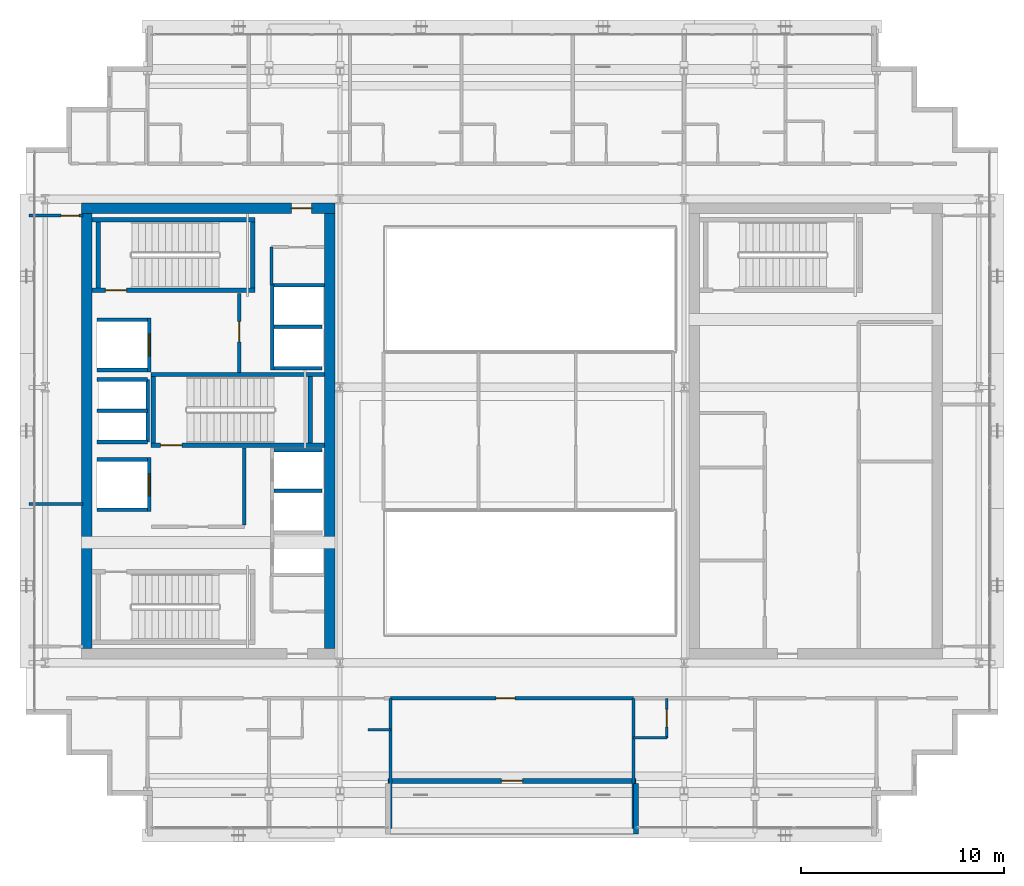
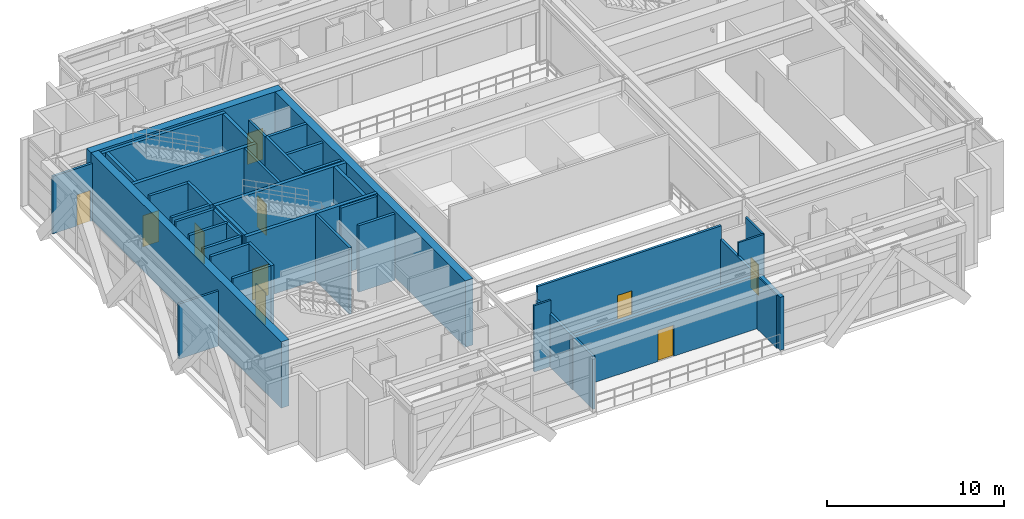
# One storey, part 24 of 31: 40 walls, 10 doors, 10 openings.
"""IFC4 building model written with IfcOpenShell, lengths in metres."""

from ifc_helpers import new_model, si_unit, direction, frame, frame_2d, origin, place, context, subcontext, project, spatial, rectangle, extrude, source, transform, mapped, material, layer, layer_set, type_object, element, fill, save


model = new_model("IFC4")

# Units and contexts
model_context = context("Model", 3, precision=1e-05, world=origin(), true_north=direction((0.0, 1.0)))
body_context = subcontext(model_context, "Body", "Model", "MODEL_VIEW")
ifc_project = project(units=[si_unit("LENGTHUNIT", "METRE"), si_unit("AREAUNIT", "SQUARE_METRE"), si_unit("VOLUMEUNIT", "CUBIC_METRE"), si_unit("PLANEANGLEUNIT", "RADIAN"), si_unit("MASSUNIT", "GRAM", prefix="KILO")], contexts=[model_context])

# Site, building, storey
site_placement = place(None, origin())
site = spatial("IfcSite", under=ifc_project, at=site_placement, CompositionType="ELEMENT")
building_placement = place(site_placement, origin())
building = spatial("IfcBuilding", under=site, at=building_placement, Name="Ocotamira Hotel", CompositionType="ELEMENT")
storey_placement = place(building_placement, frame((0.0, 0.0, 228.0)))
storey = spatial("IfcBuildingStorey", under=building, at=storey_placement, Name="L57", CompositionType="ELEMENT", Elevation=228.0)

# Wall, opening, door
ifc_material_1 = material(Name="Concrete C50/60", Category="concrete")
ifc_layer_1 = layer(ifc_material_1, 0.5)
ifc_layer_set_1 = layer_set([ifc_layer_1], Name="Concrete C50/60")
wall_type_1 = type_object("IfcWallType", Name="WL-CORE-500", PredefinedType="SHEAR", material=ifc_layer_set_1)
wall_1_placement = place(storey_placement, frame((10.75, 37.0, 0.0), z_axis=(0.0, 0.0, 1.0), x_axis=(1.0, 0.0, 0.0)))
wall_1 = element("IfcWall", 1, at=wall_1_placement, inside=storey, type_object=wall_type_1, Name="L57 Shear Core Wall WCORE-N", PredefinedType="SHEAR", context=body_context, shape_type="SweptSolid", body=[
    extrude(rectangle(XDim=12.5, YDim=0.5, at=frame_2d((6.25, 0.0))), origin(), (0.0, 0.0, 1.0), 4.580078125),
])
opening_1_placement = place(wall_1_placement, frame((10.35009765625, 0.0, 0.0)))
opening_1 = element("IfcOpeningElement", 2, at=opening_1_placement, cuts=wall_1, Name="Opening D-FR2", PredefinedType="OPENING", context=body_context, shape_type="SweptSolid", body=[
    extrude(rectangle(XDim=1.0, YDim=2.14990234375, at=frame_2d((0.5, 1.074951171875))), frame((0.0, 0.260009765625, 0.0), z_axis=(0.0, -1.0, 0.0), x_axis=(1.0, 0.0, 0.0)), (0.0, 0.0, 1.0), 0.52001953125),
])
ifc_material_2 = material(Name="Fire-rated acoustic timber-veneer door", Category="wood")
door_type_1 = type_object("IfcDoorType", Name="DR-FIRE-1000", OperationType="NOTDEFINED", PredefinedType="DOOR", material=ifc_material_2)
shared_shape_1 = source(origin(), body_context, "Body", "SweptSolid", [
    extrude(rectangle(XDim=1.0, YDim=2.14990234375, at=frame_2d((0.5, 1.074951171875))), frame((0.0, 0.02490234375, 0.0), z_axis=(0.0, -1.0, 0.0), x_axis=(1.0, 0.0, 0.0)), (0.0, 0.0, 1.0), 0.050048828125),
])
door_1_placement = place(opening_1_placement, origin())
door_1 = element("IfcDoor", 3, at=door_1_placement, inside=storey, type_object=door_type_1, Name="L57 Door ID-L57-WLOB-N-D [ID-L57-WLOB-N-D]", OperationType="SINGLE_SWING_RIGHT", OverallHeight=2.14990234375, OverallWidth=1.0, PredefinedType="DOOR", context=body_context, shape_type="MappedRepresentation", body=[
    mapped(shared_shape_1, transform((0.0, 0.0, 0.0), scale=1.0)),
])
fill(opening_1, door_1)

# Walls
for number, where, z_axis, x_axis, name in (
    (4, (11.0, 15.25, 0.0), (0.0, 0.0, 1.0), (0.0, 1.0, 0.0), "L57 Shear Core Wall WCORE-W"),
    (5, (23.0, 15.25, 0.0), (0.0, 0.0, 1.0), (0.0, 1.0, 0.0), "L57 Shear Core Wall WCORE-E"),
):
    element("IfcWall", number, at=place(storey_placement, frame(where, z_axis=z_axis, x_axis=x_axis)), inside=storey, type_object=wall_type_1, Name=name, PredefinedType="SHEAR", context=body_context, shape_type="SweptSolid", body=[
        extrude(rectangle(XDim=21.5, YDim=0.5, at=frame_2d((10.75, 0.0))), origin(), (0.0, 0.0, 1.0), 4.580078125),
    ])

# Wall, opening, door
ifc_material_3 = material(Name="Precast concrete C45/55", Category="concrete")
ifc_layer_2 = layer(ifc_material_3, 0.25)
ifc_layer_set_2 = layer_set([ifc_layer_2], Name="Precast concrete C45/55")
wall_type_2 = type_object("IfcWallType", Name="WL-EXT-SER-250", PredefinedType="SOLIDWALL", material=ifc_layer_set_2)
wall_2_placement = place(storey_placement, frame((25.875, 8.72509765625, 0.0), z_axis=(0.0, 0.0, 1.0), x_axis=(1.0, 0.0, 0.0)))
wall_2 = element("IfcWall", 6, at=wall_2_placement, inside=storey, type_object=wall_type_2, Name="L57 Sky Terrace Back Wall 1", PredefinedType="SOLIDWALL", context=body_context, shape_type="SweptSolid", body=[
    extrude(rectangle(XDim=12.25, YDim=0.25, at=frame_2d((6.125, 0.0))), origin(), (0.0, 0.0, 1.0), 3.653076171875),
])
opening_2_placement = place(wall_2_placement, frame((5.60009765625, 0.0, 0.0)))
opening_2 = element("IfcOpeningElement", 7, at=opening_2_placement, cuts=wall_2, Name="Opening ED-3", PredefinedType="OPENING", context=body_context, shape_type="SweptSolid", body=[
    extrude(rectangle(XDim=1.050048828125, YDim=2.14990234375, at=frame_2d((0.52490234375, 1.074951171875))), frame((0.0, 0.135009765625, 0.0), z_axis=(0.0, -1.0, 0.0), x_axis=(1.0, 0.0, 0.0)), (0.0, 0.0, 1.0), 0.27001953125),
])
ifc_material_4 = material(Name="Thermally broken aluminium glazed door", Category="aluminium")
door_type_2 = type_object("IfcDoorType", Name="DR-TERR-1050", OperationType="NOTDEFINED", PredefinedType="DOOR", material=ifc_material_4)
shared_shape_2 = source(origin(), body_context, "Body", "SweptSolid", [
    extrude(rectangle(XDim=1.050048828125, YDim=2.14990234375, at=frame_2d((0.52490234375, 1.074951171875))), frame((0.0, 0.02490234375, 0.0), z_axis=(0.0, -1.0, 0.0), x_axis=(1.0, 0.0, 0.0)), (0.0, 0.0, 1.0), 0.050048828125),
])
door_2_placement = place(opening_2_placement, origin())
door_2 = element("IfcDoor", 8, at=door_2_placement, inside=storey, type_object=door_type_2, Name="L57 Sky Terrace Access Door 1 [ED-BAL-L57-1]", OperationType="SINGLE_SWING_LEFT", OverallHeight=2.14990234375, OverallWidth=1.050048828125, PredefinedType="DOOR", context=body_context, shape_type="MappedRepresentation", body=[
    mapped(shared_shape_2, transform((0.0, 0.0, 0.0), scale=1.0)),
])
fill(opening_2, door_2)

# Walls
wall_3_placement = place(storey_placement, frame((38.125, 6.10009765625, 0.0), z_axis=(0.0, 0.0, 1.0), x_axis=(0.0, 1.0, 0.0)))
element("IfcWall", 9, at=wall_3_placement, inside=storey, type_object=wall_type_2, Name="L57 Sky Terrace Return Wall 1R", PredefinedType="SOLIDWALL", context=body_context, shape_type="SweptSolid", body=[
    extrude(rectangle(XDim=2.5, YDim=0.25, at=frame_2d((1.25, 0.0))), origin(), (0.0, 0.0, 1.0), 3.653076171875),
])
ifc_material_5 = material(Name="Acoustic double-layer fire gypsum board partition", Category="gypsum")
ifc_layer_3 = layer(ifc_material_5, 0.159912109375)
ifc_layer_set_3 = layer_set([ifc_layer_3], Name="Acoustic double-layer fire gypsum board partition")
wall_type_3 = type_object("IfcWallType", Name="WL-FIRE-160", PredefinedType="PARTITIONING", material=ifc_layer_set_3)
wall_4_placement = place(storey_placement, frame((18.780029296875, 21.35009765625, 0.0), z_axis=(0.0, 0.0, 1.0), x_axis=(0.0, 1.0, 0.0)))
element("IfcWall", 10, at=wall_4_placement, inside=storey, type_object=wall_type_3, Name="L57 Interior Wall PW-L57-FSAE1-E", PredefinedType="PARTITIONING", context=body_context, shape_type="SweptSolid", body=[
    extrude(rectangle(XDim=3.809814453125, YDim=0.159912109375, at=frame_2d((1.90478515625, 0.0))), origin(), (0.0, 0.0, 1.0), 4.580078125),
])

# Wall, opening, door
wall_5_placement = place(storey_placement, frame((18.530029296875, 28.89990234375, 0.0), z_axis=(0.0, 0.0, 1.0), x_axis=(0.0, 1.0, 0.0)))
wall_5 = element("IfcWall", 11, at=wall_5_placement, inside=storey, type_object=wall_type_3, Name="L57 Interior Wall PW-L57-FSAE2-E", PredefinedType="PARTITIONING", context=body_context, shape_type="SweptSolid", body=[
    extrude(rectangle(XDim=3.900146484375, YDim=0.159912109375, at=frame_2d((1.9501953125, 0.0))), origin(), (0.0, 0.0, 1.0), 4.580078125),
])
opening_3_placement = place(wall_5_placement, frame((1.5, 0.0, 0.0)))
opening_3 = element("IfcOpeningElement", 12, at=opening_3_placement, cuts=wall_5, Name="Opening D-FR2", PredefinedType="OPENING", context=body_context, shape_type="SweptSolid", body=[
    extrude(rectangle(XDim=1.0, YDim=2.14990234375, at=frame_2d((0.5, 1.074951171875))), frame((0.0, 0.08984375, 0.0), z_axis=(0.0, -1.0, 0.0), x_axis=(1.0, 0.0, 0.0)), (0.0, 0.0, 1.0), 0.179931640625),
])
door_3_placement = place(opening_3_placement, origin())
door_3 = element("IfcDoor", 13, at=door_3_placement, inside=storey, type_object=door_type_1, Name="L57 Door ID-L57-FSAE2-D [ID-L57-FSAE2-D]", OperationType="SINGLE_SWING_RIGHT", OverallHeight=2.14990234375, OverallWidth=1.0, PredefinedType="DOOR", context=body_context, shape_type="MappedRepresentation", body=[
    mapped(shared_shape_1, transform((0.0, 0.0, 0.0), scale=1.0)),
])
fill(opening_3, door_3)

wall_6_placement = place(storey_placement, frame((26.0, 12.800048828125, 0.0), z_axis=(0.0, 0.0, 1.0), x_axis=(1.0, 0.0, 0.0)))
wall_6 = element("IfcWall", 14, at=wall_6_placement, inside=storey, type_object=wall_type_3, Name="L57 Interior Wall PW-L57-L57-TLG-N", PredefinedType="PARTITIONING", context=body_context, shape_type="SweptSolid", body=[
    extrude(rectangle(XDim=12.0, YDim=0.159912109375, at=frame_2d((6.0, 0.0))), origin(), (0.0, 0.0, 1.0), 4.580078125),
])
opening_4_placement = place(wall_6_placement, frame((5.199951171875, 0.0, 0.0)))
opening_4 = element("IfcOpeningElement", 15, at=opening_4_placement, cuts=wall_6, Name="Opening D-SV4", PredefinedType="OPENING", context=body_context, shape_type="SweptSolid", body=[
    extrude(rectangle(XDim=0.9599609375, YDim=2.14990234375, at=frame_2d((0.47998046875, 1.074951171875))), frame((0.0, 0.08984375, 0.0), z_axis=(0.0, -1.0, 0.0), x_axis=(1.0, 0.0, 0.0)), (0.0, 0.0, 1.0), 0.179931640625),
])
ifc_material_6 = material(Name="Fire-rated accessible walnut salon door", Category="wood")
door_type_3 = type_object("IfcDoorType", Name="DR-SERV-960", OperationType="NOTDEFINED", PredefinedType="DOOR", material=ifc_material_6)
shared_shape_3 = source(origin(), body_context, "Body", "SweptSolid", [
    extrude(rectangle(XDim=0.9599609375, YDim=2.14990234375, at=frame_2d((0.47998046875, 1.074951171875))), frame((0.0, 0.02490234375, 0.0), z_axis=(0.0, -1.0, 0.0), x_axis=(1.0, 0.0, 0.0)), (0.0, 0.0, 1.0), 0.050048828125),
])
door_4_placement = place(opening_4_placement, origin())
door_4 = element("IfcDoor", 16, at=door_4_placement, inside=storey, type_object=door_type_3, Name="L57 Door ID-L57-L57-TLGD [ID-L57-L57-TLGD]", OperationType="SINGLE_SWING_LEFT", OverallHeight=2.14990234375, OverallWidth=0.9599609375, PredefinedType="DOOR", context=body_context, shape_type="MappedRepresentation", body=[
    mapped(shared_shape_3, transform((0.0, 0.0, 0.0), scale=1.0)),
])
fill(opening_4, door_4)

# Wall
ifc_material_7 = material(Name="Moisture-resistant en-suite tile and gypsum partition", Category="gypsum")
ifc_layer_4 = layer(ifc_material_7, 0.1201171875)
ifc_layer_set_4 = layer_set([ifc_layer_4], Name="Moisture-resistant en-suite tile and gypsum partition")
wall_type_4 = type_object("IfcWallType", Name="WL-PART-120", PredefinedType="PARTITIONING", material=ifc_layer_set_4)
wall_7_placement = place(storey_placement, frame((24.89990234375, 11.25, 0.0), z_axis=(0.0, 0.0, 1.0), x_axis=(1.0, 0.0, 0.0)))
element("IfcWall", 17, at=wall_7_placement, inside=storey, type_object=wall_type_4, Name="L57 Interior Wall PW-L57-L57SW-DRN2", PredefinedType="PARTITIONING", context=body_context, shape_type="SweptSolid", body=[
    extrude(rectangle(XDim=1.10009765625, YDim=0.1201171875, at=frame_2d((0.550048828125, 0.0))), origin(), (0.0, 0.0, 1.0), 4.580078125),
])

# Wall, opening, door
wall_8_placement = place(storey_placement, frame((39.64990234375, 10.85009765625, 0.0), z_axis=(0.0, 0.0, 1.0), x_axis=(0.0, 1.0, 0.0)))
wall_8 = element("IfcWall", 18, at=wall_8_placement, inside=storey, type_object=wall_type_4, Name="L57 Interior Wall PW-L57-L57SE-BAE1", PredefinedType="PARTITIONING", context=body_context, shape_type="SweptSolid", body=[
    extrude(rectangle(XDim=1.949951171875, YDim=0.1201171875, at=frame_2d((0.97509765625, 0.0))), origin(), (0.0, 0.0, 1.0), 4.580078125),
])
opening_5_placement = place(wall_8_placement, frame((0.544921875, 0.0, 0.0)))
opening_5 = element("IfcOpeningElement", 19, at=opening_5_placement, cuts=wall_8, Name="Opening D-BA1", PredefinedType="OPENING", context=body_context, shape_type="SweptSolid", body=[
    extrude(rectangle(XDim=0.860107421875, YDim=2.10009765625, at=frame_2d((0.43017578125, 1.050048828125))), frame((0.0, 0.070068359375, 0.0), z_axis=(0.0, -1.0, 0.0), x_axis=(1.0, 0.0, 0.0)), (0.0, 0.0, 1.0), 0.14013671875),
])
ifc_material_8 = material(Name="Moisture-sealed en-suite timber door", Category="wood")
door_type_4 = type_object("IfcDoorType", Name="DR-BATH-860", OperationType="NOTDEFINED", PredefinedType="DOOR", material=ifc_material_8)
shared_shape_4 = source(origin(), body_context, "Body", "SweptSolid", [
    extrude(rectangle(XDim=0.860107421875, YDim=2.10009765625, at=frame_2d((0.43017578125, 1.050048828125))), frame((0.0, 0.02490234375, 0.0), z_axis=(0.0, -1.0, 0.0), x_axis=(1.0, 0.0, 0.0)), (0.0, 0.0, 1.0), 0.050048828125),
])
door_5_placement = place(opening_5_placement, origin())
door_5 = element("IfcDoor", 20, at=door_5_placement, inside=storey, type_object=door_type_4, Name="L57 Door ID-L57-L57SE-BAD1 [ID-L57-L57SE-BAD1]", OperationType="SINGLE_SWING_RIGHT", OverallHeight=2.10009765625, OverallWidth=0.860107421875, PredefinedType="DOOR", context=body_context, shape_type="MappedRepresentation", body=[
    mapped(shared_shape_4, transform((0.0, 0.0, 0.0), scale=1.0)),
])
fill(opening_5, door_5)

# Walls
wall_9_placement = place(storey_placement, frame((38.0, 10.85009765625, 0.0), z_axis=(0.0, 0.0, 1.0), x_axis=(1.0, 0.0, 0.0)))
element("IfcWall", 21, at=wall_9_placement, inside=storey, type_object=wall_type_4, Name="L57 Interior Wall PW-L57-L57SE-BAS1", PredefinedType="PARTITIONING", context=body_context, shape_type="SweptSolid", body=[
    extrude(rectangle(XDim=1.64990234375, YDim=0.1201171875, at=frame_2d((0.824951171875, 0.0))), origin(), (0.0, 0.0, 1.0), 4.580078125),
])
ifc_material_9 = material(Name="Acoustic hospitality gypsum board partition", Category="gypsum")
ifc_layer_5 = layer(ifc_material_9, 0.14208984375)
ifc_layer_set_5 = layer_set([ifc_layer_5], Name="Acoustic hospitality gypsum board partition")
wall_type_5 = type_object("IfcWallType", Name="WL-PART-142", PredefinedType="PARTITIONING", material=ifc_layer_set_5)
wall_10_placement = place(storey_placement, frame((20.1201171875, 33.219970703125, 0.0), z_axis=(0.0, 0.0, 1.0), x_axis=(0.0, 1.0, 0.0)))
element("IfcWall", 22, at=wall_10_placement, inside=storey, type_object=wall_type_5, Name="L57 Interior Wall PW-L57-WC-NE-W2", PredefinedType="PARTITIONING", context=body_context, shape_type="SweptSolid", body=[
    extrude(rectangle(XDim=1.860107421875, YDim=0.14208984375, at=frame_2d((0.93017578125, 0.0))), origin(), (0.0, 0.0, 1.0), 4.580078125),
])
wall_11_placement = place(storey_placement, frame((8.159912109375, 22.39990234375, 0.0), z_axis=(0.0, 0.0, 1.0), x_axis=(1.0, 0.0, 0.0)))
element("IfcWall", 23, at=wall_11_placement, inside=storey, type_object=wall_type_5, Name="L57 Interior Wall PW-L57-L57W-DV1", PredefinedType="PARTITIONING", context=body_context, shape_type="SweptSolid", body=[
    extrude(rectangle(XDim=2.66015625, YDim=0.14208984375, at=frame_2d((1.330078125, 0.0))), origin(), (0.0, 0.0, 1.0), 3.801025390625),
])

# Wall, opening, door
ifc_layer_6 = layer(ifc_material_9, 0.14990234375)
ifc_layer_set_6 = layer_set([ifc_layer_6], Name="Acoustic hospitality gypsum board partition")
wall_type_6 = type_object("IfcWallType", Name="WL-PART-150", PredefinedType="PARTITIONING", material=ifc_layer_set_6)
wall_12_placement = place(storey_placement, frame((8.159912109375, 36.639892578125, 0.0), z_axis=(0.0, 0.0, 1.0), x_axis=(1.0, 0.0, 0.0)))
wall_12 = element("IfcWall", 24, at=wall_12_placement, inside=storey, type_object=wall_type_6, Name="L57 Interior Wall PW-L57-L57W-WN", PredefinedType="PARTITIONING", context=body_context, shape_type="SweptSolid", body=[
    extrude(rectangle(XDim=2.66015625, YDim=0.14990234375, at=frame_2d((1.330078125, 0.0))), origin(), (0.0, 0.0, 1.0), 3.962890625),
])
opening_6_placement = place(wall_12_placement, frame((1.580078125, 0.0, 0.0)))
opening_6 = element("IfcOpeningElement", 25, at=opening_6_placement, cuts=wall_12, Name="Opening D-SV2", PredefinedType="OPENING", context=body_context, shape_type="SweptSolid", body=[
    extrude(rectangle(XDim=0.8798828125, YDim=2.14990234375, at=frame_2d((0.43994140625, 1.074951171875))), frame((0.0, 0.0849609375, 0.0), z_axis=(0.0, -1.0, 0.0), x_axis=(1.0, 0.0, 0.0)), (0.0, 0.0, 1.0), 0.169921875),
])
ifc_material_10 = material(Name="Fire-rated painted steel service door", Category="steel")
door_type_5 = type_object("IfcDoorType", Name="DR-SERV-880", OperationType="NOTDEFINED", PredefinedType="DOOR", material=ifc_material_10)
shared_shape_5 = source(origin(), body_context, "Body", "SweptSolid", [
    extrude(rectangle(XDim=0.8798828125, YDim=2.14990234375, at=frame_2d((0.43994140625, 1.074951171875))), frame((0.0, 0.02490234375, 0.0), z_axis=(0.0, -1.0, 0.0), x_axis=(1.0, 0.0, 0.0)), (0.0, 0.0, 1.0), 0.050048828125),
])
door_6_placement = place(opening_6_placement, origin())
door_6 = element("IfcDoor", 26, at=door_6_placement, inside=storey, type_object=door_type_5, Name="L57 Door ID-L57-L57W-DN [ID-L57-L57W-DN]", OperationType="SINGLE_SWING_RIGHT", OverallHeight=2.14990234375, OverallWidth=0.8798828125, PredefinedType="DOOR", context=body_context, shape_type="MappedRepresentation", body=[
    mapped(shared_shape_5, transform((0.0, 0.0, 0.0), scale=1.0)),
])
fill(opening_6, door_6)

# Walls
ifc_material_11 = material(Name="Acoustic double-stud hospitality gypsum partition", Category="gypsum")
ifc_layer_7 = layer(ifc_material_11, 0.159912109375)
ifc_layer_set_7 = layer_set([ifc_layer_7], Name="Acoustic double-stud hospitality gypsum partition")
wall_type_7 = type_object("IfcWallType", Name="WL-PART-160", PredefinedType="PARTITIONING", material=ifc_layer_set_7)
for number, where, z_axis, x_axis, name in (
    (27, (26.0, 6.360107421875, 0.0), (0.0, 0.0, 1.0), (0.0, 1.0, 0.0), "L57 Interior Wall PW-L57-L57SW-PWEND"),
    (28, (38.0, 6.360107421875, 0.0), (0.0, 0.0, 1.0), (0.0, 1.0, 0.0), "L57 Interior Wall PW-L57-L57SE-PW0"),
):
    element("IfcWall", number, at=place(storey_placement, frame(where, z_axis=z_axis, x_axis=x_axis)), inside=storey, type_object=wall_type_7, Name=name, PredefinedType="PARTITIONING", context=body_context, shape_type="SweptSolid", body=[
        extrude(rectangle(XDim=6.43994140625, YDim=0.159912109375, at=frame_2d((3.219970703125, 0.0))), origin(), (0.0, 0.0, 1.0), 3.653076171875),
    ])
ifc_material_12 = material(Name="Fire-rated gypsum shaftliner board assembly", Category="gypsum")
ifc_layer_8 = layer(ifc_material_12, 0.179931640625)
ifc_layer_set_8 = layer_set([ifc_layer_8], Name="Fire-rated gypsum shaftliner board assembly")
wall_type_8 = type_object("IfcWallType", Name="WL-SHAFT-180", PredefinedType="SOLIDWALL", material=ifc_layer_set_8)
for number, where, z_axis, x_axis, name in (
    (29, (20.25, 25.050048828125, 0.0), (0.0, 0.0, 1.0), (1.0, 0.0, 0.0), "L57 Interior Wall PW-L57-LFW-BANK-high-N"),
    (30, (20.25, 23.044921875, 0.0), (0.0, 0.0, 1.0), (1.0, 0.0, 0.0), "L57 Interior Wall PW-L57-LFW-DIV-LF-P8"),
):
    element("IfcWall", number, at=place(storey_placement, frame(where, z_axis=z_axis, x_axis=x_axis)), inside=storey, type_object=wall_type_8, Name=name, PredefinedType="SOLIDWALL", context=body_context, shape_type="SweptSolid", body=[
        extrude(rectangle(XDim=2.360107421875, YDim=0.179931640625, at=frame_2d((1.18017578125, 0.0))), origin(), (0.0, 0.0, 1.0), 4.580078125),
    ])
wall_13_placement = place(storey_placement, frame((20.159912109375, 29.0, 0.0), z_axis=(0.0, 0.0, 1.0), x_axis=(0.0, 1.0, 0.0)))
element("IfcWall", 31, at=wall_13_placement, inside=storey, type_object=wall_type_8, Name="L57 Interior Wall PW-L57-LFW-BANK-obs-F", PredefinedType="SOLIDWALL", context=body_context, shape_type="SweptSolid", body=[
    extrude(rectangle(XDim=4.2900390625, YDim=0.179931640625, at=frame_2d((2.14501953125, 0.0))), origin(), (0.0, 0.0, 1.0), 4.580078125),
])
wall_14_placement = place(storey_placement, frame((20.25, 29.090087890625, 0.0), z_axis=(0.0, 0.0, 1.0), x_axis=(1.0, 0.0, 0.0)))
element("IfcWall", 32, at=wall_14_placement, inside=storey, type_object=wall_type_8, Name="L57 Interior Wall PW-L57-LFW-BANK-obs-S", PredefinedType="SOLIDWALL", context=body_context, shape_type="SweptSolid", body=[
    extrude(rectangle(XDim=2.360107421875, YDim=0.179931640625, at=frame_2d((1.18017578125, 0.0))), origin(), (0.0, 0.0, 1.0), 4.580078125),
])
wall_15_placement = place(storey_placement, frame((20.25, 33.199951171875, 0.0), z_axis=(0.0, 0.0, 1.0), x_axis=(1.0, 0.0, 0.0)))
element("IfcWall", 33, at=wall_15_placement, inside=storey, type_object=wall_type_8, Name="L57 Interior Wall PW-L57-LFW-BANK-obs-N", PredefinedType="SOLIDWALL", context=body_context, shape_type="SweptSolid", body=[
    extrude(rectangle(XDim=2.5, YDim=0.179931640625, at=frame_2d((1.25, 0.0))), origin(), (0.0, 0.0, 1.0), 4.580078125),
])
wall_16_placement = place(storey_placement, frame((20.25, 31.14501953125, 0.0), z_axis=(0.0, 0.0, 1.0), x_axis=(1.0, 0.0, 0.0)))
element("IfcWall", 34, at=wall_16_placement, inside=storey, type_object=wall_type_8, Name="L57 Interior Wall PW-L57-LFW-DIV-LF-OBS1", PredefinedType="SOLIDWALL", context=body_context, shape_type="SweptSolid", body=[
    extrude(rectangle(XDim=2.360107421875, YDim=0.179931640625, at=frame_2d((1.18017578125, 0.0))), origin(), (0.0, 0.0, 1.0), 4.580078125),
])
for number, where, z_axis, x_axis, name in (
    (35, (11.5, 22.110107421875, 0.0), (0.0, 0.0, 1.0), (1.0, 0.0, 0.0), "L57 Interior Wall PW-L57-LFW-LF-FSAE1-S"),
    (36, (11.5, 24.590087890625, 0.0), (0.0, 0.0, 1.0), (1.0, 0.0, 0.0), "L57 Interior Wall PW-L57-LFW-LF-FSAE1-N"),
):
    element("IfcWall", number, at=place(storey_placement, frame(where, z_axis=z_axis, x_axis=x_axis)), inside=storey, type_object=wall_type_8, Name=name, PredefinedType="SOLIDWALL", context=body_context, shape_type="SweptSolid", body=[
        extrude(rectangle(XDim=2.5, YDim=0.179931640625, at=frame_2d((1.25, 0.0))), origin(), (0.0, 0.0, 1.0), 4.580078125),
    ])

# Wall, opening, door
wall_17_placement = place(storey_placement, frame((14.090087890625, 22.02001953125, 0.0), z_axis=(0.0, 0.0, 1.0), x_axis=(0.0, 1.0, 0.0)))
wall_17 = element("IfcWall", 37, at=wall_17_placement, inside=storey, type_object=wall_type_8, Name="L57 Interior Wall PW-L57-LFW-LF-FSAE1-E", PredefinedType="SOLIDWALL", context=body_context, shape_type="SweptSolid", body=[
    extrude(rectangle(XDim=2.659912109375, YDim=0.179931640625, at=frame_2d((1.330078125, 0.0))), origin(), (0.0, 0.0, 1.0), 4.580078125),
])
opening_7_placement = place(wall_17_placement, frame((0.780029296875, 0.0, 0.0)))
opening_7 = element("IfcOpeningElement", 38, at=opening_7_placement, cuts=wall_17, Name="Opening LD-LF-FSAE1", PredefinedType="OPENING", context=body_context, shape_type="SweptSolid", body=[
    extrude(rectangle(XDim=1.10009765625, YDim=2.199951171875, at=frame_2d((0.550048828125, 1.10009765625))), frame((0.0, 0.10009765625, 0.0), z_axis=(0.0, -1.0, 0.0), x_axis=(1.0, 0.0, 0.0)), (0.0, 0.0, 1.0), 0.199951171875),
])
ifc_material_13 = material(Name="Brushed pale-metal stainless elevator landing door", Category="steel")
door_type_6 = type_object("IfcDoorType", Name="DR-LIFT-1100", OperationType="NOTDEFINED", PredefinedType="DOOR", material=ifc_material_13)
shared_shape_6 = source(origin(), body_context, "Body", "SweptSolid", [
    extrude(rectangle(XDim=1.10009765625, YDim=2.199951171875, at=frame_2d((0.550048828125, 1.10009765625))), frame((0.0, 0.02490234375, 0.0), z_axis=(0.0, -1.0, 0.0), x_axis=(1.0, 0.0, 0.0)), (0.0, 0.0, 1.0), 0.050048828125),
])
door_7_placement = place(opening_7_placement, origin())
door_7 = element("IfcDoor", 39, at=door_7_placement, inside=storey, type_object=door_type_6, Name="L57 Landing Door LD-LF-FSAE1 [ID-L57-LD-LF-FSAE1]", OperationType="DOUBLE_DOOR_SLIDING", OverallHeight=2.199951171875, OverallWidth=1.10009765625, PredefinedType="DOOR", context=body_context, shape_type="MappedRepresentation", body=[
    mapped(shared_shape_6, transform((0.0, 0.0, 0.0), scale=1.0)),
])
fill(opening_7, door_7)

# Walls
for number, where, z_axis, x_axis, name in (
    (40, (11.5, 29.010009765625, 0.0), (0.0, 0.0, 1.0), (1.0, 0.0, 0.0), "L57 Interior Wall PW-L57-LFW-LF-FSAE2-S"),
    (41, (11.5, 31.489990234375, 0.0), (0.0, 0.0, 1.0), (1.0, 0.0, 0.0), "L57 Interior Wall PW-L57-LFW-LF-FSAE2-N"),
):
    element("IfcWall", number, at=place(storey_placement, frame(where, z_axis=z_axis, x_axis=x_axis)), inside=storey, type_object=wall_type_8, Name=name, PredefinedType="SOLIDWALL", context=body_context, shape_type="SweptSolid", body=[
        extrude(rectangle(XDim=2.5, YDim=0.179931640625, at=frame_2d((1.25, 0.0))), origin(), (0.0, 0.0, 1.0), 4.580078125),
    ])

# Wall, opening, door
wall_18_placement = place(storey_placement, frame((14.090087890625, 28.919921875, 0.0), z_axis=(0.0, 0.0, 1.0), x_axis=(0.0, 1.0, 0.0)))
wall_18 = element("IfcWall", 42, at=wall_18_placement, inside=storey, type_object=wall_type_8, Name="L57 Interior Wall PW-L57-LFW-LF-FSAE2-E", PredefinedType="SOLIDWALL", context=body_context, shape_type="SweptSolid", body=[
    extrude(rectangle(XDim=2.66015625, YDim=0.179931640625, at=frame_2d((1.330078125, 0.0))), origin(), (0.0, 0.0, 1.0), 4.580078125),
])
opening_8_placement = place(wall_18_placement, frame((0.780029296875, 0.0, 0.0)))
opening_8 = element("IfcOpeningElement", 43, at=opening_8_placement, cuts=wall_18, Name="Opening LD-LF-FSAE2", PredefinedType="OPENING", context=body_context, shape_type="SweptSolid", body=[
    extrude(rectangle(XDim=1.10009765625, YDim=2.199951171875, at=frame_2d((0.550048828125, 1.10009765625))), frame((0.0, 0.10009765625, 0.0), z_axis=(0.0, -1.0, 0.0), x_axis=(1.0, 0.0, 0.0)), (0.0, 0.0, 1.0), 0.199951171875),
])
door_8_placement = place(opening_8_placement, origin())
door_8 = element("IfcDoor", 44, at=door_8_placement, inside=storey, type_object=door_type_6, Name="L57 Landing Door LD-LF-FSAE2 [ID-L57-LD-LF-FSAE2]", OperationType="DOUBLE_DOOR_SLIDING", OverallHeight=2.199951171875, OverallWidth=1.10009765625, PredefinedType="DOOR", context=body_context, shape_type="MappedRepresentation", body=[
    mapped(shared_shape_6, transform((0.0, 0.0, 0.0), scale=1.0)),
])
fill(opening_8, door_8)

# Walls
for number, where, z_axis, x_axis, name in (
    (45, (11.5, 25.4599609375, 0.0), (0.0, 0.0, 1.0), (1.0, 0.0, 0.0), "L57 Interior Wall PW-L57-RSW-S"),
    (46, (11.5, 27.0, 0.0), (0.0, 0.0, 1.0), (1.0, 0.0, 0.0), "L57 Interior Wall PW-L57-RSW-MID"),
    (47, (11.5, 28.5400390625, 0.0), (0.0, 0.0, 1.0), (1.0, 0.0, 0.0), "L57 Interior Wall PW-L57-RSW-N"),
):
    element("IfcWall", number, at=place(storey_placement, frame(where, z_axis=z_axis, x_axis=x_axis)), inside=storey, type_object=wall_type_8, Name=name, PredefinedType="SOLIDWALL", context=body_context, shape_type="SweptSolid", body=[
        extrude(rectangle(XDim=2.510009765625, YDim=0.179931640625, at=frame_2d((1.2548828125, 0.0))), origin(), (0.0, 0.0, 1.0), 4.580078125),
    ])
wall_19_placement = place(storey_placement, frame((14.010009765625, 25.4599609375, 0.0), z_axis=(0.0, 0.0, 1.0), x_axis=(0.0, 1.0, 0.0)))
element("IfcWall", 48, at=wall_19_placement, inside=storey, type_object=wall_type_8, Name="L57 Interior Wall PW-L57-RSW-E", PredefinedType="SOLIDWALL", context=body_context, shape_type="SweptSolid", body=[
    extrude(rectangle(XDim=3.080078125, YDim=0.179931640625, at=frame_2d((1.5400390625, 0.0))), origin(), (0.0, 0.0, 1.0), 4.580078125),
])

# Wall, opening, door
ifc_layer_9 = layer(ifc_material_1, 0.219970703125)
ifc_layer_set_9 = layer_set([ifc_layer_9], Name="Concrete C50/60")
wall_type_9 = type_object("IfcWallType", Name="WL-STAIR-220", PredefinedType="SHEAR", material=ifc_layer_set_9)
wall_20_placement = place(storey_placement, frame((11.25, 32.93994140625, 0.0), z_axis=(0.0, 0.0, 1.0), x_axis=(1.0, 0.0, 0.0)))
wall_20 = element("IfcWall", 49, at=wall_20_placement, inside=storey, type_object=wall_type_9, Name="L57 Stair Shaft Structural Wall ST-2-S", PredefinedType="SHEAR", context=body_context, shape_type="SweptSolid", body=[
    extrude(rectangle(XDim=8.06005859375, YDim=0.219970703125, at=frame_2d((4.030029296875, 0.0))), origin(), (0.0, 0.0, 1.0), 4.60009765625),
])
opening_9_placement = place(wall_20_placement, frame((0.669921875, 0.0, 0.0)))
opening_9 = element("IfcOpeningElement", 50, at=opening_9_placement, cuts=wall_20, Name="Opening D-ST2", PredefinedType="OPENING", context=body_context, shape_type="SweptSolid", body=[
    extrude(rectangle(XDim=1.050048828125, YDim=2.14990234375, at=frame_2d((0.52490234375, 1.074951171875))), frame((0.0, 0.1201171875, 0.0), z_axis=(0.0, -1.0, 0.0), x_axis=(1.0, 0.0, 0.0)), (0.0, 0.0, 1.0), 0.239990234375),
])
ifc_material_14 = material(Name="Insulated painted hollow-metal fire exit door", Category="steel")
door_type_7 = type_object("IfcDoorType", Name="DR-STAIR-1050", OperationType="NOTDEFINED", PredefinedType="DOOR", material=ifc_material_14)
door_9_placement = place(opening_9_placement, origin())
door_9 = element("IfcDoor", 51, at=door_9_placement, inside=storey, type_object=door_type_7, Name="L57 Door ID-L57-STD-ST-2 [ID-L57-STD-ST-2]", OperationType="SINGLE_SWING_LEFT", OverallHeight=2.14990234375, OverallWidth=1.050048828125, PredefinedType="DOOR", context=body_context, shape_type="MappedRepresentation", body=[
    mapped(shared_shape_2, transform((0.0, 0.0, 0.0), scale=1.0)),
])
fill(opening_9, door_9)

# Walls
wall_21_placement = place(storey_placement, frame((11.25, 36.43994140625, 0.0), z_axis=(0.0, 0.0, 1.0), x_axis=(1.0, 0.0, 0.0)))
element("IfcWall", 52, at=wall_21_placement, inside=storey, type_object=wall_type_9, Name="L57 Stair Shaft Structural Wall ST-2-N", PredefinedType="SHEAR", context=body_context, shape_type="SweptSolid", body=[
    extrude(rectangle(XDim=8.06005859375, YDim=0.219970703125, at=frame_2d((4.030029296875, 0.0))), origin(), (0.0, 0.0, 1.0), 4.60009765625),
])
for number, where, z_axis, x_axis, name in (
    (53, (11.56005859375, 33.050048828125, 0.0), (0.0, 0.0, 1.0), (0.0, 1.0, 0.0), "L57 Stair Shaft Structural Wall ST-2-W"),
    (54, (19.199951171875, 33.050048828125, 0.0), (0.0, 0.0, 1.0), (0.0, 1.0, 0.0), "L57 Stair Shaft Structural Wall ST-2-E"),
):
    element("IfcWall", number, at=place(storey_placement, frame(where, z_axis=z_axis, x_axis=x_axis)), inside=storey, type_object=wall_type_9, Name=name, PredefinedType="SHEAR", context=body_context, shape_type="SweptSolid", body=[
        extrude(rectangle(XDim=3.280029296875, YDim=0.219970703125, at=frame_2d((1.64013671875, 0.0))), origin(), (0.0, 0.0, 1.0), 4.60009765625),
    ])

# Wall, opening, door
wall_22_placement = place(storey_placement, frame((14.179931640625, 25.2900390625, 0.0), z_axis=(0.0, 0.0, 1.0), x_axis=(1.0, 0.0, 0.0)))
wall_22 = element("IfcWall", 55, at=wall_22_placement, inside=storey, type_object=wall_type_9, Name="L57 Stair Shaft Structural Wall ST-3-S", PredefinedType="SHEAR", context=body_context, shape_type="SweptSolid", body=[
    extrude(rectangle(XDim=8.570068359375, YDim=0.219970703125, at=frame_2d((4.28515625, 0.0))), origin(), (0.0, 0.0, 1.0), 4.60009765625),
])
opening_10_placement = place(wall_22_placement, frame((0.469970703125, 0.0, 0.0)))
opening_10 = element("IfcOpeningElement", 56, at=opening_10_placement, cuts=wall_22, Name="Opening D-ST2", PredefinedType="OPENING", context=body_context, shape_type="SweptSolid", body=[
    extrude(rectangle(XDim=1.050048828125, YDim=2.14990234375, at=frame_2d((0.52490234375, 1.074951171875))), frame((0.0, 0.1201171875, 0.0), z_axis=(0.0, -1.0, 0.0), x_axis=(1.0, 0.0, 0.0)), (0.0, 0.0, 1.0), 0.239990234375),
])
door_10_placement = place(opening_10_placement, origin())
door_10 = element("IfcDoor", 57, at=door_10_placement, inside=storey, type_object=door_type_7, Name="L57 Door ID-L57-STD-ST-3 [ID-L57-STD-ST-3]", OperationType="SINGLE_SWING_RIGHT", OverallHeight=2.14990234375, OverallWidth=1.050048828125, PredefinedType="DOOR", context=body_context, shape_type="MappedRepresentation", body=[
    mapped(shared_shape_2, transform((0.0, 0.0, 0.0), scale=1.0)),
])
fill(opening_10, door_10)

# Walls
wall_23_placement = place(storey_placement, frame((14.179931640625, 28.7900390625, 0.0), z_axis=(0.0, 0.0, 1.0), x_axis=(1.0, 0.0, 0.0)))
element("IfcWall", 58, at=wall_23_placement, inside=storey, type_object=wall_type_9, Name="L57 Stair Shaft Structural Wall ST-3-N", PredefinedType="SHEAR", context=body_context, shape_type="SweptSolid", body=[
    extrude(rectangle(XDim=8.570068359375, YDim=0.219970703125, at=frame_2d((4.28515625, 0.0))), origin(), (0.0, 0.0, 1.0), 4.60009765625),
])
for number, where, z_axis, x_axis, name in (
    (59, (14.2900390625, 25.39990234375, 0.0), (0.0, 0.0, 1.0), (0.0, 1.0, 0.0), "L57 Stair Shaft Structural Wall ST-3-W"),
    (60, (22.030029296875, 25.39990234375, 0.0), (0.0, 0.0, 1.0), (0.0, 1.0, 0.0), "L57 Stair Shaft Structural Wall ST-3-E"),
):
    element("IfcWall", number, at=place(storey_placement, frame(where, z_axis=z_axis, x_axis=x_axis)), inside=storey, type_object=wall_type_9, Name=name, PredefinedType="SHEAR", context=body_context, shape_type="SweptSolid", body=[
        extrude(rectangle(XDim=3.280029296875, YDim=0.219970703125, at=frame_2d((1.64013671875, 0.0))), origin(), (0.0, 0.0, 1.0), 4.60009765625),
    ])

save(model, "model.ifc")
